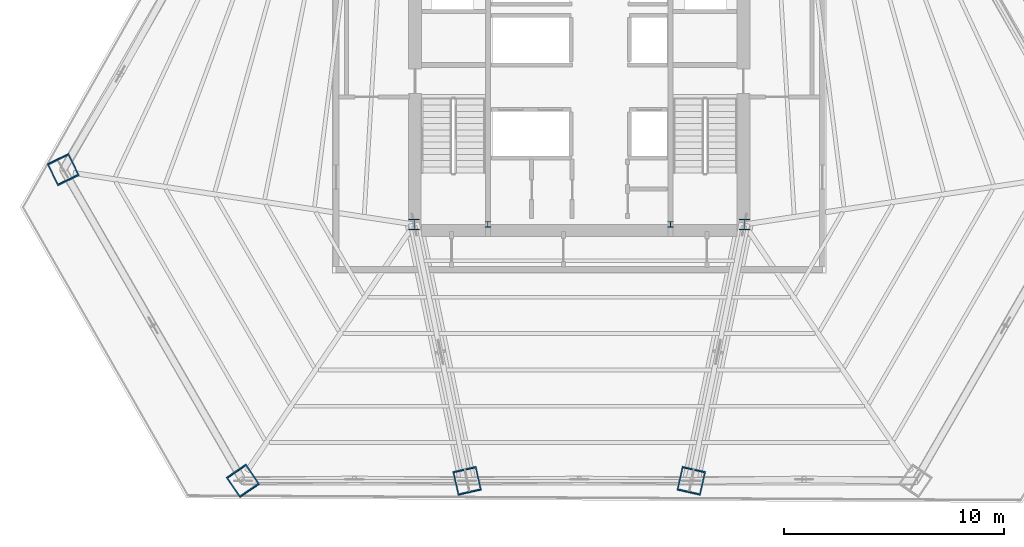
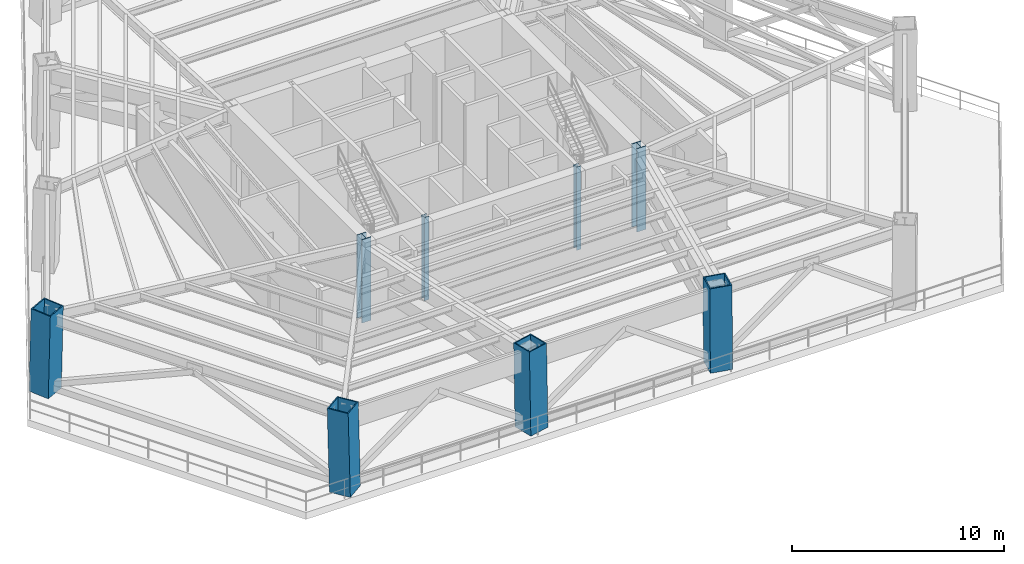
# One storey, part 1 of 13: 8 columns.
"""IFC4 building model written with IfcOpenShell, lengths in metres."""

from ifc_helpers import new_model, si_unit, direction, frame, origin, origin_2d, place, context, subcontext, project, spatial, hollow_rectangle, i_section, extrude, source, transform, mapped, material, material_profile, profile_set, type_object, type_shapes, element, save


model = new_model("IFC4")

# Units and contexts
model_context = context("Model", 3, precision=1e-05, world=origin(), true_north=direction((0.0, 1.0)))
body_context = subcontext(model_context, "Body", "Model", "MODEL_VIEW")
ifc_project = project(units=[si_unit("LENGTHUNIT", "METRE"), si_unit("AREAUNIT", "SQUARE_METRE"), si_unit("VOLUMEUNIT", "CUBIC_METRE"), si_unit("PLANEANGLEUNIT", "RADIAN"), si_unit("MASSUNIT", "GRAM", prefix="KILO")], contexts=[model_context])

# Site, building, storey
site_placement = place(None, origin())
site = spatial("IfcSite", under=ifc_project, at=site_placement, CompositionType="ELEMENT")
building_placement = place(site_placement, origin())
building = spatial("IfcBuilding", under=site, at=building_placement, Name="Caelisora Broadcast Tower", CompositionType="ELEMENT")
storey_placement = place(building_placement, frame((0.0, 0.0, 75.050048828125)))
storey = spatial("IfcBuildingStorey", under=building, at=storey_placement, Name="L19", CompositionType="ELEMENT", Elevation=75.050048828125)

# Columns
ifc_material_1 = material(Name="Steel Grade 350 (AS/NZS 3679.2)", Category="steel")
ifc_material_profile_1 = material_profile(ifc_material_1, i_section(OverallWidth=0.5, OverallDepth=0.5, WebThickness=0.028076171875, FlangeThickness=0.0400390625, at=origin_2d()), Name="Steel Grade 350 (AS/NZS 3679.2)")
ifc_profile_set_1 = profile_set([ifc_material_profile_1], Name="Steel Grade 350 (AS/NZS 3679.2)")
column_type_1 = type_object("IfcColumnType", Name="CC01", PredefinedType="COLUMN", material=ifc_profile_set_1)
shared_shape_1 = source(origin(), body_context, "Body", "SweptSolid", [
    extrude(i_section(OverallWidth=0.5, OverallDepth=0.5, WebThickness=0.028076171875, FlangeThickness=0.0400390625, at=origin_2d()), origin(), (0.0, 0.0, 1.0), 4.800048828125),
])
type_shapes(column_type_1, [shared_shape_1])
for number, where, z_axis, x_axis, name in (
    (1, (30.5, 17.39990234375, 0.0), (0.0, 0.0, 1.0), (1.0, 0.0, 0.0), "L19 column CC01"),
    (2, (45.5, 17.39990234375, 0.0), (0.0, 0.0, 1.0), (1.0, 0.0, 0.0), "L19 column CC01"),
):
    element("IfcColumn", number, at=place(storey_placement, frame(where, z_axis=z_axis, x_axis=x_axis)), inside=storey, type_object=column_type_1, Name=name, PredefinedType="COLUMN", context=body_context, shape_type="MappedRepresentation", body=[
        mapped(shared_shape_1, transform((0.0, 0.0, 0.0), scale=1.0)),
    ])
ifc_material_2 = material(Name="Steel Grade 350 (AS/NZS 3679.1)", Category="steel")
ifc_material_profile_2 = material_profile(ifc_material_2, i_section(OverallWidth=0.256103515625, OverallDepth=0.260009765625, WebThickness=0.010498046875, FlangeThickness=0.017333984375, at=origin_2d()), Name="Steel Grade 350 (AS/NZS 3679.1)")
ifc_profile_set_2 = profile_set([ifc_material_profile_2], Name="Steel Grade 350 (AS/NZS 3679.1)")
column_type_2 = type_object("IfcColumnType", Name="CC05", PredefinedType="COLUMN", material=ifc_profile_set_2)
shared_shape_2 = source(origin(), body_context, "Body", "SweptSolid", [
    extrude(i_section(OverallWidth=0.256103515625, OverallDepth=0.260009765625, WebThickness=0.010498046875, FlangeThickness=0.017333984375, at=origin_2d()), origin(), (0.0, 0.0, 1.0), 4.800048828125),
])
type_shapes(column_type_2, [shared_shape_2])
for number, where, z_axis, x_axis, name in (
    (3, (33.85009765625, 17.39990234375, 0.0), (0.0, 0.0, 1.0), (1.0, 0.0, 0.0), "L19 column CC05"),
    (4, (42.14990234375, 17.39990234375, 0.0), (0.0, 0.0, 1.0), (1.0, 0.0, 0.0), "L19 column CC05"),
):
    element("IfcColumn", number, at=place(storey_placement, frame(where, z_axis=z_axis, x_axis=x_axis)), inside=storey, type_object=column_type_2, Name=name, PredefinedType="COLUMN", context=body_context, shape_type="MappedRepresentation", body=[
        mapped(shared_shape_2, transform((0.0, 0.0, 0.0), scale=1.0)),
    ])
ifc_material_3 = material(Name="Steel Grade 350 L15 (AS/NZS 3678)", Category="steel")
ifc_material_profile_3 = material_profile(ifc_material_3, hollow_rectangle(XDim=1.10009765625, YDim=1.10009765625, WallThickness=0.06005859375, at=origin_2d()), Name="Steel Grade 350 L15 (AS/NZS 3678)")
ifc_profile_set_3 = profile_set([ifc_material_profile_3], Name="Steel Grade 350 L15 (AS/NZS 3678)")
column_type_3 = type_object("IfcColumnType", Name="MC03", PredefinedType="COLUMN", material=ifc_profile_set_3)
shared_shape_3 = source(origin(), body_context, "Body", "SweptSolid", [
    extrude(hollow_rectangle(XDim=1.10009765625, YDim=1.10009765625, WallThickness=0.06005859375, at=origin_2d()), origin(), (0.0, 0.0, 1.0), 4.801513671875),
])
for number, where, z_axis, x_axis, name in (
    (5, (14.550537109375, 19.904541015625, 0.0), (0.01042374304, -0.021559351459, 0.999713228854), (0.900293483537, 0.435283405956, 0.0), "L19 column MC03"),
    (6, (22.728515625, 5.739990234375, 0.0), (-0.013474599104, 0.019779694533, 0.999713558407), (-0.826452018452, -0.563007159099, 0.0), "L19 column MC03"),
):
    element("IfcColumn", number, at=place(storey_placement, frame(where, z_axis=z_axis, x_axis=x_axis)), inside=storey, type_object=column_type_3, Name=name, PredefinedType="COLUMN", context=body_context, shape_type="MappedRepresentation", body=[
        mapped(shared_shape_3, transform((0.0, 0.0, 0.0), scale=1.0)),
    ])
shared_shape_4 = source(origin(), body_context, "Body", "SweptSolid", [
    extrude(hollow_rectangle(XDim=1.10009765625, YDim=1.10009765625, WallThickness=0.06005859375, at=origin_2d()), origin(), (0.0, 0.0, 1.0), 4.801025390625),
])
type_shapes(column_type_3, [shared_shape_3, shared_shape_4])
for number, where, z_axis, x_axis, name in (
    (7, (32.909423828125, 5.739990234375, 0.0), (-0.004474945316, 0.019781292362, 0.999794316516), (-0.975354038261, -0.220645643617, 0.0), "L19 column MC03"),
    (8, (43.090576171875, 5.739990234375, 0.0), (0.004474945316, 0.019781292362, 0.999794316516), (-0.975354038261, 0.220645643617, 0.0), "L19 column MC03"),
):
    element("IfcColumn", number, at=place(storey_placement, frame(where, z_axis=z_axis, x_axis=x_axis)), inside=storey, type_object=column_type_3, Name=name, PredefinedType="COLUMN", context=body_context, shape_type="MappedRepresentation", body=[
        mapped(shared_shape_4, transform((0.0, 0.0, 0.0), scale=1.0)),
    ])

save(model, "model.ifc")
